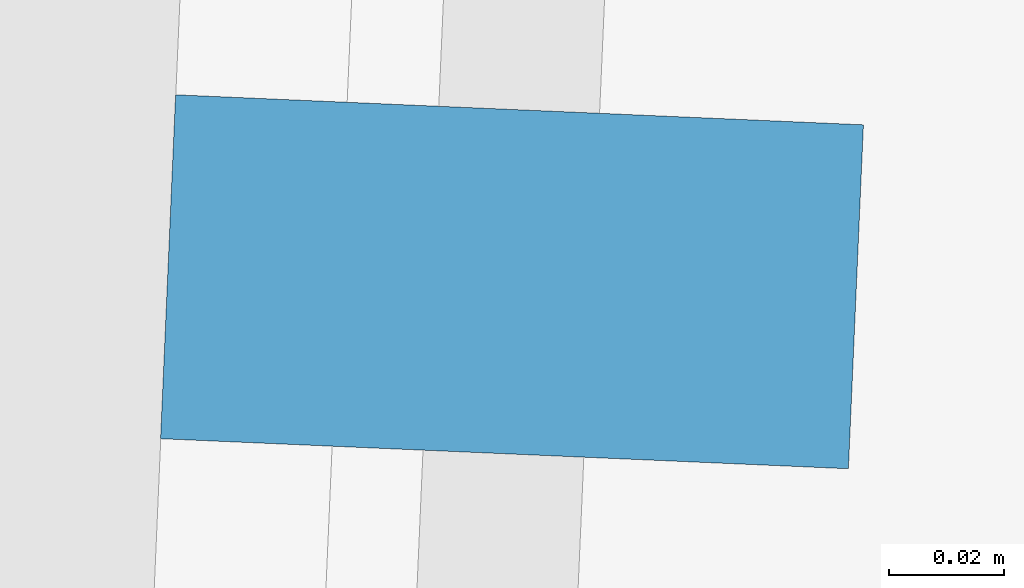
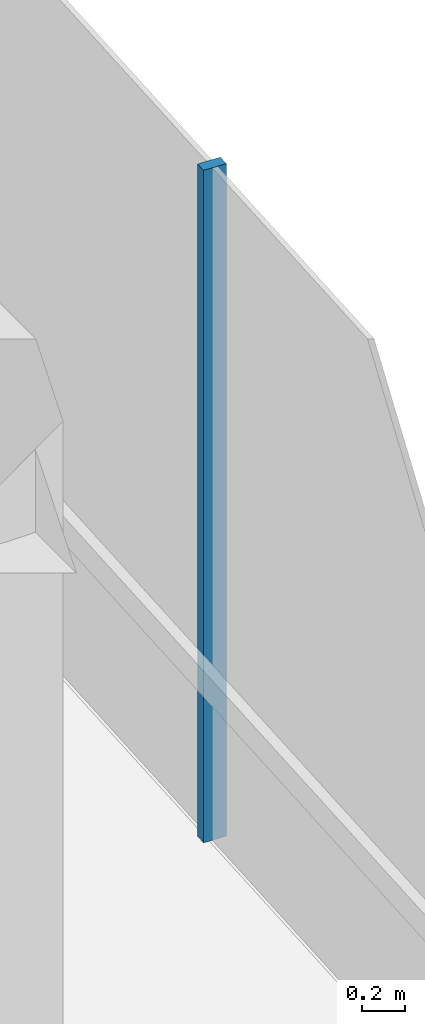
# One storey, part 15 of 25: 1 member, 1 element without a shape of its own.
"""IFC4 building model written with IfcOpenShell, lengths in metres."""

from ifc_helpers import new_model, si_unit, direction, frame, origin, origin_2d, place, context, subcontext, project, spatial, rectangle, extrude, material, layer, layer_set, material_profile, profile_set, type_object, element, aggregate, save


model = new_model("IFC4")

# Units and contexts
model_context = context("Model", 3, precision=1e-05, world=origin(), true_north=direction((0.0, 1.0)))
body_context = subcontext(model_context, "Body", "Model", "MODEL_VIEW")
ifc_project = project(units=[si_unit("LENGTHUNIT", "METRE"), si_unit("AREAUNIT", "SQUARE_METRE"), si_unit("VOLUMEUNIT", "CUBIC_METRE"), si_unit("PLANEANGLEUNIT", "RADIAN"), si_unit("MASSUNIT", "GRAM", prefix="KILO")], contexts=[model_context])

# Site, building, storey
site_placement = place(None, origin())
site = spatial("IfcSite", under=ifc_project, at=site_placement, CompositionType="ELEMENT")
building_placement = place(site_placement, origin())
building = spatial("IfcBuilding", under=site, at=building_placement, Name="Welwitschia Terrace Campus", CompositionType="ELEMENT")
storey_placement = place(building_placement, frame((0.0, 0.0, 121.39990234375)))
storey = spatial("IfcBuildingStorey", under=building, at=storey_placement, Name="L27", CompositionType="ELEMENT", Elevation=121.39990234375)

# Curtain wall, member
ifc_material_1 = material(Name="Bronze anodised aluminium", Category="aluminium")
ifc_layer = layer(ifc_material_1, 0.1201171875)
ifc_layer_set = layer_set([ifc_layer], Name="Bronze anodised aluminium")
curtain_wall_type = type_object("IfcCurtainWallType", Name="Curtain wall CW2 tower 6000", PredefinedType="NOTDEFINED", material=ifc_layer_set)
curtain_wall_placement = place(storey_placement, origin())
curtain_wall = element("IfcCurtainWall", 1, at=curtain_wall_placement, inside=storey, type_object=curtain_wall_type, Name="CW L27.10.0", PredefinedType="NOTDEFINED")
ifc_material_2 = material(Name="Bronze anodised aluminium", Category="aluminium")
ifc_material_profile = material_profile(ifc_material_2, rectangle(XDim=0.1201171875, YDim=0.06005859375, at=origin_2d()))
ifc_profile_set = profile_set([ifc_material_profile], Name="Bronze anodised aluminium")
member_type = type_object("IfcMemberType", Name="Mullion 60x120", PredefinedType="MULLION", material=ifc_profile_set)
member_placement = place(storey_placement, frame((25.881591796875, 52.6318359375, 0.0), z_axis=(0.0, 0.0, 1.0), x_axis=(-0.999048221582, 0.043619387365, 0.0)))
member = element("IfcMember", 2, at=member_placement, type_object=member_type, Name="Mullion L27.10.0.3", PredefinedType="MULLION", context=body_context, shape_type="SweptSolid", body=[
    extrude(rectangle(XDim=0.1201171875, YDim=0.06005859375, at=origin_2d()), origin(), (0.0, 0.0, 1.0), 3.85009765625),
])
aggregate(curtain_wall, [member])

save(model, "model.ifc")
